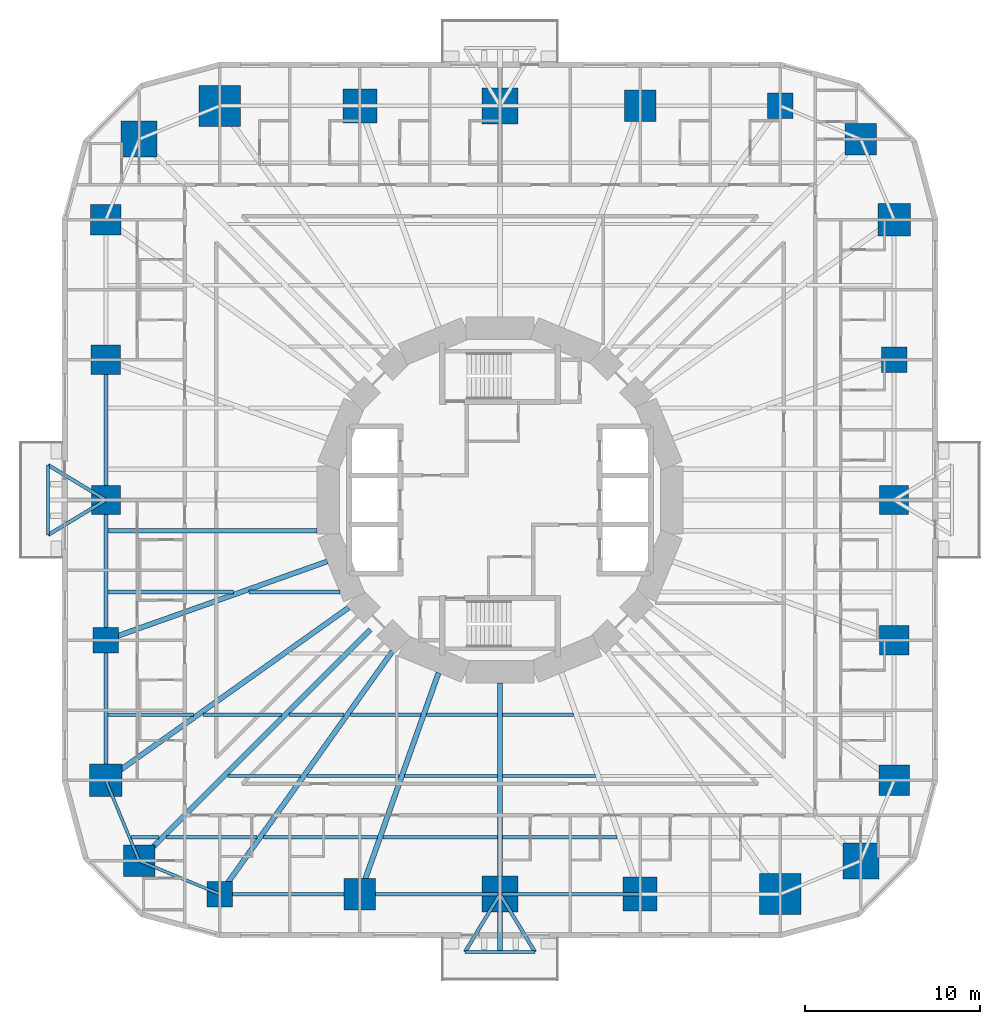
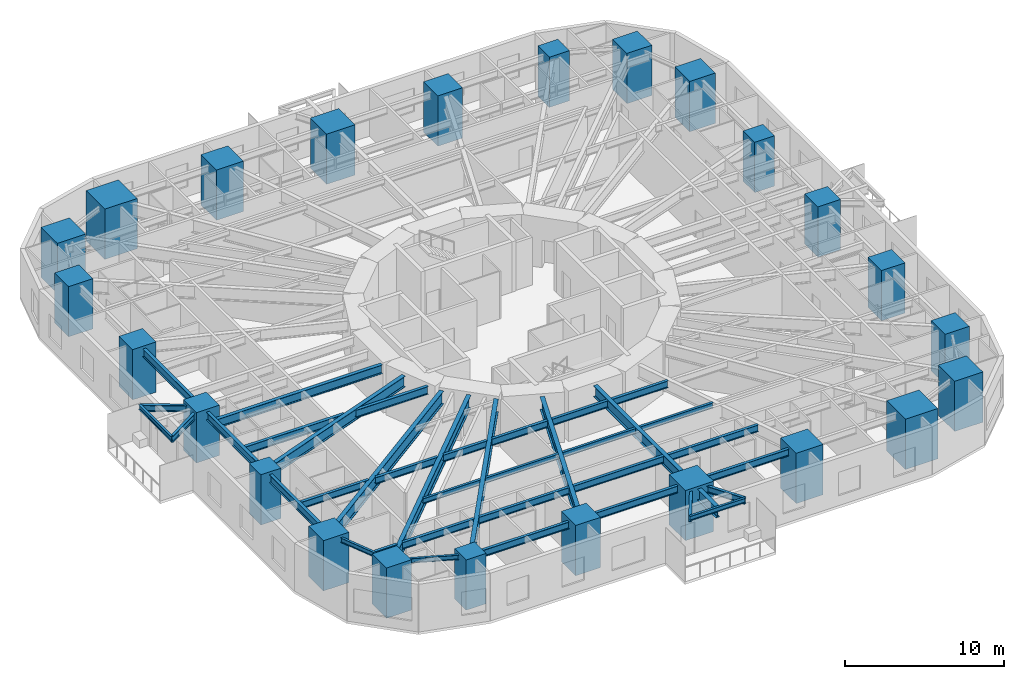
# One storey, part 1 of 14: 38 beams, 24 columns.
"""IFC4 building model written with IfcOpenShell, lengths in metres."""

from ifc_helpers import new_model, si_unit, direction, frame, origin, origin_2d, place, context, subcontext, project, spatial, rectangle, i_section, extrude, material, material_profile, profile_set, type_object, element, save


model = new_model("IFC4")

# Units and contexts
model_context = context("Model", 3, precision=1e-05, world=origin(), true_north=direction((0.0, 1.0)))
body_context = subcontext(model_context, "Body", "Model", "MODEL_VIEW")
ifc_project = project(units=[si_unit("LENGTHUNIT", "METRE"), si_unit("AREAUNIT", "SQUARE_METRE"), si_unit("VOLUMEUNIT", "CUBIC_METRE"), si_unit("PLANEANGLEUNIT", "RADIAN"), si_unit("MASSUNIT", "GRAM", prefix="KILO")], contexts=[model_context])

# Site, building, storey
site_placement = place(None, origin())
site = spatial("IfcSite", under=ifc_project, at=site_placement, CompositionType="ELEMENT")
building_placement = place(site_placement, origin())
building = spatial("IfcBuilding", under=site, at=building_placement, Name="Nakasero Lantern House", CompositionType="ELEMENT")
storey_placement = place(building_placement, frame((0.0, 0.0, 42.949951171875)))
storey = spatial("IfcBuildingStorey", under=building, at=storey_placement, Name="L10", CompositionType="ELEMENT", Elevation=42.949951171875)

# Columns
ifc_material_1 = material(Name="Concrete C50/60", Category="concrete")
ifc_material_profile_1 = material_profile(ifc_material_1, rectangle(XDim=1.800048828125, YDim=1.800048828125, at=origin_2d()), Name="RC 1800x1800")
ifc_profile_set_1 = profile_set([ifc_material_profile_1], Name="Concrete C50/60")
column_type_1 = type_object("IfcColumnType", Name="Mega column RC 1800x1800 C50/60", PredefinedType="COLUMN", material=ifc_profile_set_1)
for number, where, z_axis, x_axis, name in (
    (1, (20.59619140625, 20.59619140625, 0.0), (0.0, 0.0, 1.0), (1.0, 0.0, 0.0), "Column B1-C06 L10"),
    (2, (-20.59619140625, -20.59619140625, 0.0), (0.0, 0.0, 1.0), (1.0, 0.0, 0.0), "Column B1-C18 L10"),
):
    element("IfcColumn", number, at=place(storey_placement, frame(where, z_axis=z_axis, x_axis=x_axis)), inside=storey, type_object=column_type_1, Name=name, PredefinedType="COLUMN", context=body_context, shape_type="SweptSolid", body=[
        extrude(rectangle(XDim=1.800048828125, YDim=1.800048828125, at=origin_2d()), origin(), (0.0, 0.0, 1.0), 3.85009765625),
    ])
ifc_material_2 = material(Name="Concrete C50/60", Category="concrete")
ifc_material_profile_2 = material_profile(ifc_material_2, rectangle(XDim=2.050048828125, YDim=2.050048828125, at=origin_2d()), Name="RC 2050x2050")
ifc_profile_set_2 = profile_set([ifc_material_profile_2], Name="Concrete C50/60")
column_type_2 = type_object("IfcColumnType", Name="Mega column RC 2050x2050 C50/60", PredefinedType="COLUMN", material=ifc_profile_set_2)
for number, where, z_axis, x_axis, name in (
    (3, (-20.59619140625, 20.59619140625, 0.0), (0.0, 0.0, 1.0), (1.0, 0.0, 0.0), "Column B1-C12 L10"),
    (4, (20.59619140625, -20.59619140625, 0.0), (0.0, 0.0, 1.0), (1.0, 0.0, 0.0), "Column B1-C24 L10"),
):
    element("IfcColumn", number, at=place(storey_placement, frame(where, z_axis=z_axis, x_axis=x_axis)), inside=storey, type_object=column_type_2, Name=name, PredefinedType="COLUMN", context=body_context, shape_type="SweptSolid", body=[
        extrude(rectangle(XDim=2.050048828125, YDim=2.050048828125, at=origin_2d()), origin(), (0.0, 0.0, 1.0), 3.85009765625),
    ])
ifc_material_3 = material(Name="Concrete C50/60", Category="concrete")
ifc_material_profile_3 = material_profile(ifc_material_3, rectangle(XDim=1.449951171875, YDim=1.449951171875, at=origin_2d()), Name="RC 1450x1450")
ifc_profile_set_3 = profile_set([ifc_material_profile_3], Name="Concrete C50/60")
column_type_3 = type_object("IfcColumnType", Name="Ring column RC 1450x1450 C50/60", PredefinedType="COLUMN", material=ifc_profile_set_3)
for number, where, z_axis, x_axis, name in (
    (5, (22.5, 8.0, 0.0), (0.0, 0.0, 1.0), (1.0, 0.0, 0.0), "Column B1-C04 L10"),
    (6, (16.0, 22.5, 0.0), (0.0, 0.0, 1.0), (1.0, 0.0, 0.0), "Column B1-C07 L10"),
    (7, (-22.5, -8.0, 0.0), (0.0, 0.0, 1.0), (1.0, 0.0, 0.0), "Column B1-C16 L10"),
    (8, (-16.0, -22.5, 0.0), (0.0, 0.0, 1.0), (1.0, 0.0, 0.0), "Column B1-C19 L10"),
):
    element("IfcColumn", number, at=place(storey_placement, frame(where, z_axis=z_axis, x_axis=x_axis)), inside=storey, type_object=column_type_3, Name=name, PredefinedType="COLUMN", context=body_context, shape_type="SweptSolid", body=[
        extrude(rectangle(XDim=1.449951171875, YDim=1.449951171875, at=origin_2d()), origin(), (0.0, 0.0, 1.0), 3.85009765625),
    ])
ifc_material_4 = material(Name="Concrete C50/60", Category="concrete")
ifc_material_profile_4 = material_profile(ifc_material_4, rectangle(XDim=1.64990234375, YDim=1.64990234375, at=origin_2d()), Name="RC 1650x1650")
ifc_profile_set_4 = profile_set([ifc_material_profile_4], Name="Concrete C50/60")
column_type_4 = type_object("IfcColumnType", Name="Ring column RC 1650x1650 C50/60", PredefinedType="COLUMN", material=ifc_profile_set_4)
for number, where, z_axis, x_axis, name in (
    (9, (22.5, 0.0, 0.0), (0.0, 0.0, 1.0), (1.0, 0.0, 0.0), "Column B1-C03 L10"),
    (10, (-22.5, 0.0, 0.0), (0.0, 0.0, 1.0), (1.0, 0.0, 0.0), "Column B1-C15 L10"),
):
    element("IfcColumn", number, at=place(storey_placement, frame(where, z_axis=z_axis, x_axis=x_axis)), inside=storey, type_object=column_type_4, Name=name, PredefinedType="COLUMN", context=body_context, shape_type="SweptSolid", body=[
        extrude(rectangle(XDim=1.64990234375, YDim=1.64990234375, at=origin_2d()), origin(), (0.0, 0.0, 1.0), 3.85009765625),
    ])
ifc_material_5 = material(Name="Concrete C50/60", Category="concrete")
ifc_material_profile_5 = material_profile(ifc_material_5, rectangle(XDim=1.699951171875, YDim=1.699951171875, at=origin_2d()), Name="RC 1700x1700")
ifc_profile_set_5 = profile_set([ifc_material_profile_5], Name="Concrete C50/60")
column_type_5 = type_object("IfcColumnType", Name="Ring column RC 1700x1700 C50/60", PredefinedType="COLUMN", material=ifc_profile_set_5)
for number, where, z_axis, x_axis, name in (
    (11, (22.5, -8.0, 0.0), (0.0, 0.0, 1.0), (1.0, 0.0, 0.0), "Column B1-C02 L10"),
    (12, (-22.5, 8.0, 0.0), (0.0, 0.0, 1.0), (1.0, 0.0, 0.0), "Column B1-C14 L10"),
):
    element("IfcColumn", number, at=place(storey_placement, frame(where, z_axis=z_axis, x_axis=x_axis)), inside=storey, type_object=column_type_5, Name=name, PredefinedType="COLUMN", context=body_context, shape_type="SweptSolid", body=[
        extrude(rectangle(XDim=1.699951171875, YDim=1.699951171875, at=origin_2d()), origin(), (0.0, 0.0, 1.0), 3.85009765625),
    ])
ifc_material_6 = material(Name="Concrete C50/60", Category="concrete")
ifc_material_profile_6 = material_profile(ifc_material_6, rectangle(XDim=1.75, YDim=1.75, at=origin_2d()), Name="RC 1750x1750")
ifc_profile_set_6 = profile_set([ifc_material_profile_6], Name="Concrete C50/60")
column_type_6 = type_object("IfcColumnType", Name="Ring column RC 1750x1750 C50/60", PredefinedType="COLUMN", material=ifc_profile_set_6)
for number, where, z_axis, x_axis, name in (
    (13, (22.5, -16.0, 0.0), (0.0, 0.0, 1.0), (1.0, 0.0, 0.0), "Column B1-C01 L10"),
    (14, (-22.5, 16.0, 0.0), (0.0, 0.0, 1.0), (1.0, 0.0, 0.0), "Column B1-C13 L10"),
):
    element("IfcColumn", number, at=place(storey_placement, frame(where, z_axis=z_axis, x_axis=x_axis)), inside=storey, type_object=column_type_6, Name=name, PredefinedType="COLUMN", context=body_context, shape_type="SweptSolid", body=[
        extrude(rectangle(XDim=1.75, YDim=1.75, at=origin_2d()), origin(), (0.0, 0.0, 1.0), 3.85009765625),
    ])
ifc_material_7 = material(Name="Concrete C50/60", Category="concrete")
ifc_material_profile_7 = material_profile(ifc_material_7, rectangle(XDim=1.800048828125, YDim=1.800048828125, at=origin_2d()), Name="RC 1800x1800")
ifc_profile_set_7 = profile_set([ifc_material_profile_7], Name="Concrete C50/60")
column_type_7 = type_object("IfcColumnType", Name="Ring column RC 1800x1800 C50/60", PredefinedType="COLUMN", material=ifc_profile_set_7)
for number, where, z_axis, x_axis, name in (
    (15, (8.0, 22.5, 0.0), (0.0, 0.0, 1.0), (1.0, 0.0, 0.0), "Column B1-C08 L10"),
    (16, (-8.0, -22.5, 0.0), (0.0, 0.0, 1.0), (1.0, 0.0, 0.0), "Column B1-C20 L10"),
):
    element("IfcColumn", number, at=place(storey_placement, frame(where, z_axis=z_axis, x_axis=x_axis)), inside=storey, type_object=column_type_7, Name=name, PredefinedType="COLUMN", context=body_context, shape_type="SweptSolid", body=[
        extrude(rectangle(XDim=1.800048828125, YDim=1.800048828125, at=origin_2d()), origin(), (0.0, 0.0, 1.0), 3.85009765625),
    ])
ifc_material_8 = material(Name="Concrete C50/60", Category="concrete")
ifc_material_profile_8 = material_profile(ifc_material_8, rectangle(XDim=1.85009765625, YDim=1.85009765625, at=origin_2d()), Name="RC 1850x1850")
ifc_profile_set_8 = profile_set([ifc_material_profile_8], Name="Concrete C50/60")
column_type_8 = type_object("IfcColumnType", Name="Ring column RC 1850x1850 C50/60", PredefinedType="COLUMN", material=ifc_profile_set_8)
for number, where, z_axis, x_axis, name in (
    (17, (22.5, 16.0, 0.0), (0.0, 0.0, 1.0), (1.0, 0.0, 0.0), "Column B1-C05 L10"),
    (18, (-22.5, -16.0, 0.0), (0.0, 0.0, 1.0), (1.0, 0.0, 0.0), "Column B1-C17 L10"),
):
    element("IfcColumn", number, at=place(storey_placement, frame(where, z_axis=z_axis, x_axis=x_axis)), inside=storey, type_object=column_type_8, Name=name, PredefinedType="COLUMN", context=body_context, shape_type="SweptSolid", body=[
        extrude(rectangle(XDim=1.85009765625, YDim=1.85009765625, at=origin_2d()), origin(), (0.0, 0.0, 1.0), 3.85009765625),
    ])
ifc_material_9 = material(Name="Concrete C50/60", Category="concrete")
ifc_material_profile_9 = material_profile(ifc_material_9, rectangle(XDim=1.949951171875, YDim=1.949951171875, at=origin_2d()), Name="RC 1950x1950")
ifc_profile_set_9 = profile_set([ifc_material_profile_9], Name="Concrete C50/60")
column_type_9 = type_object("IfcColumnType", Name="Ring column RC 1950x1950 C50/60", PredefinedType="COLUMN", material=ifc_profile_set_9)
for number, where, z_axis, x_axis, name in (
    (19, (-8.0, 22.5, 0.0), (0.0, 0.0, 1.0), (1.0, 0.0, 0.0), "Column B1-C10 L10"),
    (20, (8.0, -22.5, 0.0), (0.0, 0.0, 1.0), (1.0, 0.0, 0.0), "Column B1-C22 L10"),
):
    element("IfcColumn", number, at=place(storey_placement, frame(where, z_axis=z_axis, x_axis=x_axis)), inside=storey, type_object=column_type_9, Name=name, PredefinedType="COLUMN", context=body_context, shape_type="SweptSolid", body=[
        extrude(rectangle(XDim=1.949951171875, YDim=1.949951171875, at=origin_2d()), origin(), (0.0, 0.0, 1.0), 3.85009765625),
    ])
ifc_material_10 = material(Name="Concrete C50/60", Category="concrete")
ifc_material_profile_10 = material_profile(ifc_material_10, rectangle(XDim=2.050048828125, YDim=2.050048828125, at=origin_2d()), Name="RC 2050x2050")
ifc_profile_set_10 = profile_set([ifc_material_profile_10], Name="Concrete C50/60")
column_type_10 = type_object("IfcColumnType", Name="Ring column RC 2050x2050 C50/60", PredefinedType="COLUMN", material=ifc_profile_set_10)
for number, where, z_axis, x_axis, name in (
    (21, (0.0, 22.5, 0.0), (0.0, 0.0, 1.0), (1.0, 0.0, 0.0), "Column B1-C09 L10"),
    (22, (0.0, -22.5, 0.0), (0.0, 0.0, 1.0), (1.0, 0.0, 0.0), "Column B1-C21 L10"),
):
    element("IfcColumn", number, at=place(storey_placement, frame(where, z_axis=z_axis, x_axis=x_axis)), inside=storey, type_object=column_type_10, Name=name, PredefinedType="COLUMN", context=body_context, shape_type="SweptSolid", body=[
        extrude(rectangle(XDim=2.050048828125, YDim=2.050048828125, at=origin_2d()), origin(), (0.0, 0.0, 1.0), 3.85009765625),
    ])
ifc_material_11 = material(Name="Concrete C50/60", Category="concrete")
ifc_material_profile_11 = material_profile(ifc_material_11, rectangle(XDim=2.35009765625, YDim=2.35009765625, at=origin_2d()), Name="RC 2350x2350")
ifc_profile_set_11 = profile_set([ifc_material_profile_11], Name="Concrete C50/60")
column_type_11 = type_object("IfcColumnType", Name="Ring column RC 2350x2350 C50/60", PredefinedType="COLUMN", material=ifc_profile_set_11)
for number, where, z_axis, x_axis, name in (
    (23, (-16.0, 22.5, 0.0), (0.0, 0.0, 1.0), (1.0, 0.0, 0.0), "Column B1-C11 L10"),
    (24, (16.0, -22.5, 0.0), (0.0, 0.0, 1.0), (1.0, 0.0, 0.0), "Column B1-C23 L10"),
):
    element("IfcColumn", number, at=place(storey_placement, frame(where, z_axis=z_axis, x_axis=x_axis)), inside=storey, type_object=column_type_11, Name=name, PredefinedType="COLUMN", context=body_context, shape_type="SweptSolid", body=[
        extrude(rectangle(XDim=2.35009765625, YDim=2.35009765625, at=origin_2d()), origin(), (0.0, 0.0, 1.0), 3.85009765625),
    ])

# Beams
ifc_material_12 = material(Name="Steel S355", Category="steel")
ifc_material_profile_12 = material_profile(ifc_material_12, i_section(OverallWidth=0.199462890625, OverallDepth=0.491943359375, WebThickness=0.01806640625, FlangeThickness=0.031982421875, FilletRadius=0.01025390625, at=origin_2d()), Name="UB 457x191x161")
ifc_profile_set_12 = profile_set([ifc_material_profile_12], Name="Steel S355")
beam_type_1 = type_object("IfcBeamType", Name="Balcony splay beam UB 457x191x161", PredefinedType="BEAM", material=ifc_profile_set_12)
for number, where, z_axis, x_axis, name in (
    (25, (-22.5, 0.0, 3.404052734375), (-0.855201230787, -0.518296107317, 0.0), (0.518296107317, -0.855201230787, 0.0), "Balcony splay beam L11 B1-C15A"),
    (26, (-22.5, 0.0, 3.404052734375), (-0.855201230787, 0.518296107317, 0.0), (-0.518296107317, -0.855201230787, 0.0), "Balcony splay beam L11 B1-C15B"),
    (27, (0.0, -22.5, 3.404052734375), (0.518296107317, -0.855201230787, 0.0), (0.855201230787, 0.518296107317, 0.0), "Balcony splay beam L11 B1-C21A"),
    (28, (0.0, -22.5, 3.404052734375), (-0.518296107317, -0.855201230787, 0.0), (0.855201230787, -0.518296107317, 0.0), "Balcony splay beam L11 B1-C21B"),
):
    element("IfcBeam", number, at=place(storey_placement, frame(where, z_axis=z_axis, x_axis=x_axis)), inside=storey, type_object=beam_type_1, Name=name, PredefinedType="BEAM", context=body_context, shape_type="SweptSolid", body=[
        extrude(i_section(OverallWidth=0.199462890625, OverallDepth=0.491943359375, WebThickness=0.01806640625, FlangeThickness=0.031982421875, FilletRadius=0.01025390625, at=origin_2d()), origin(), (0.0, 0.0, 1.0), 3.85888671875),
    ])
ifc_material_13 = material(Name="Steel S355", Category="steel")
ifc_material_profile_13 = material_profile(ifc_material_13, i_section(OverallWidth=0.17138671875, OverallDepth=0.35498046875, WebThickness=0.00732421875, FlangeThickness=0.011474609375, FilletRadius=0.01025390625, at=origin_2d()), Name="UB 356x171x51")
ifc_profile_set_13 = profile_set([ifc_material_profile_13], Name="Steel S355")
beam_type_2 = type_object("IfcBeamType", Name="Balcony tie beam UB 356x171x51", PredefinedType="BEAM", material=ifc_profile_set_13)
for number, where, z_axis, x_axis, name in (
    (29, (-25.800048828125, -2.0, 3.47265625), (0.0, 1.0, 0.0), (-1.0, 0.0, 0.0), "Balcony tie beam L11 B1-C15"),
    (30, (2.0, -25.800048828125, 3.47265625), (-1.0, 0.0, 0.0), (0.0, -1.0, 0.0), "Balcony tie beam L11 B1-C21"),
):
    element("IfcBeam", number, at=place(storey_placement, frame(where, z_axis=z_axis, x_axis=x_axis)), inside=storey, type_object=beam_type_2, Name=name, PredefinedType="BEAM", context=body_context, shape_type="SweptSolid", body=[
        extrude(i_section(OverallWidth=0.17138671875, OverallDepth=0.35498046875, WebThickness=0.00732421875, FlangeThickness=0.011474609375, FilletRadius=0.01025390625, at=origin_2d()), origin(), (0.0, 0.0, 1.0), 4.0),
    ])
ifc_material_14 = material(Name="Steel S355", Category="steel")
ifc_material_profile_14 = material_profile(ifc_material_14, i_section(OverallWidth=0.177978515625, OverallDepth=0.406494140625, WebThickness=0.0078125, FlangeThickness=0.0126953125, FilletRadius=0.01025390625, at=origin_2d()), Name="UB 406x178x60")
ifc_profile_set_14 = profile_set([ifc_material_profile_14], Name="Steel S355")
beam_type_3 = type_object("IfcBeamType", Name="Infill beam UB 406x178x60", PredefinedType="JOIST", material=ifc_profile_set_14)
beam_1_placement = place(storey_placement, frame((-15.537841796875, -15.75, 3.44677734375), z_axis=(1.0, 0.0, 0.0), x_axis=(0.0, 1.0, 0.0)))
element("IfcBeam", 31, at=beam_1_placement, inside=storey, type_object=beam_type_3, Name="Infill beam L11 03.1", PredefinedType="JOIST", context=body_context, shape_type="SweptSolid", body=[
    extrude(i_section(OverallWidth=0.177978515625, OverallDepth=0.406494140625, WebThickness=0.0078125, FlangeThickness=0.0126953125, FilletRadius=0.01025390625, at=origin_2d()), origin(), (0.0, 0.0, 1.0), 4.15380859375),
])
beam_2_placement = place(storey_placement, frame((-11.015869140625, -15.75, 3.44677734375), z_axis=(1.0, 0.0, 0.0), x_axis=(0.0, 1.0, 0.0)))
element("IfcBeam", 32, at=beam_2_placement, inside=storey, type_object=beam_type_3, Name="Infill beam L11 03.2", PredefinedType="JOIST", context=body_context, shape_type="SweptSolid", body=[
    extrude(i_section(OverallWidth=0.177978515625, OverallDepth=0.406494140625, WebThickness=0.0078125, FlangeThickness=0.0126953125, FilletRadius=0.01025390625, at=origin_2d()), origin(), (0.0, 0.0, 1.0), 5.256591796875),
])
for number, where, z_axis, x_axis, name in (
    (33, (-5.44091796875, -15.75, 3.44677734375), (1.0, 0.0, 0.0), (0.0, 1.0, 0.0), "Infill beam L11 03.3"),
    (34, (0.146240234375, -15.75, 3.44677734375), (1.0, 0.0, 0.0), (0.0, 1.0, 0.0), "Infill beam L11 03.4"),
):
    element("IfcBeam", number, at=place(storey_placement, frame(where, z_axis=z_axis, x_axis=x_axis)), inside=storey, type_object=beam_type_3, Name=name, PredefinedType="JOIST", context=body_context, shape_type="SweptSolid", body=[
        extrude(i_section(OverallWidth=0.177978515625, OverallDepth=0.406494140625, WebThickness=0.0078125, FlangeThickness=0.0126953125, FilletRadius=0.01025390625, at=origin_2d()), origin(), (0.0, 0.0, 1.0), 5.294677734375),
    ])
ifc_material_15 = material(Name="Steel S355", Category="steel")
ifc_material_profile_15 = material_profile(ifc_material_15, i_section(OverallWidth=0.208740234375, OverallDepth=0.5283203125, WebThickness=0.009521484375, FlangeThickness=0.01318359375, FilletRadius=0.0126953125, at=origin_2d()), Name="UB 533x210x82")
ifc_profile_set_15 = profile_set([ifc_material_profile_15], Name="Steel S355")
beam_type_4 = type_object("IfcBeamType", Name="Infill beam UB 533x210x82", PredefinedType="JOIST", material=ifc_profile_set_15)
beam_3_placement = place(storey_placement, frame((-21.06103515625, -19.25, 3.385986328125), z_axis=(1.0, 0.0, 0.0), x_axis=(0.0, 1.0, 0.0)))
element("IfcBeam", 35, at=beam_3_placement, inside=storey, type_object=beam_type_4, Name="Infill beam L11 02.1", PredefinedType="JOIST", context=body_context, shape_type="SweptSolid", body=[
    extrude(i_section(OverallWidth=0.208740234375, OverallDepth=0.5283203125, WebThickness=0.009521484375, FlangeThickness=0.01318359375, FilletRadius=0.0126953125, at=origin_2d()), origin(), (0.0, 0.0, 1.0), 1.598876953125),
])
beam_4_placement = place(storey_placement, frame((-19.037841796875, -19.25, 3.385986328125), z_axis=(1.0, 0.0, 0.0), x_axis=(0.0, 1.0, 0.0)))
element("IfcBeam", 36, at=beam_4_placement, inside=storey, type_object=beam_type_4, Name="Infill beam L11 02.2", PredefinedType="JOIST", context=body_context, shape_type="SweptSolid", body=[
    extrude(i_section(OverallWidth=0.208740234375, OverallDepth=0.5283203125, WebThickness=0.009521484375, FlangeThickness=0.01318359375, FilletRadius=0.0126953125, at=origin_2d()), origin(), (0.0, 0.0, 1.0), 5.164794921875),
])
beam_5_placement = place(storey_placement, frame((-13.5048828125, -19.25, 3.385986328125), z_axis=(1.0, 0.0, 0.0), x_axis=(0.0, 1.0, 0.0)))
element("IfcBeam", 37, at=beam_5_placement, inside=storey, type_object=beam_type_4, Name="Infill beam L11 02.3", PredefinedType="JOIST", context=body_context, shape_type="SweptSolid", body=[
    extrude(i_section(OverallWidth=0.208740234375, OverallDepth=0.5283203125, WebThickness=0.009521484375, FlangeThickness=0.01318359375, FilletRadius=0.0126953125, at=origin_2d()), origin(), (0.0, 0.0, 1.0), 6.501220703125),
])
for number, where, z_axis, x_axis, name in (
    (38, (-6.685302734375, -19.25, 3.385986328125), (1.0, 0.0, 0.0), (0.0, 1.0, 0.0), "Infill beam L11 02.4"),
    (39, (0.146240234375, -19.25, 3.385986328125), (1.0, 0.0, 0.0), (0.0, 1.0, 0.0), "Infill beam L11 02.5"),
):
    element("IfcBeam", number, at=place(storey_placement, frame(where, z_axis=z_axis, x_axis=x_axis)), inside=storey, type_object=beam_type_4, Name=name, PredefinedType="JOIST", context=body_context, shape_type="SweptSolid", body=[
        extrude(i_section(OverallWidth=0.208740234375, OverallDepth=0.5283203125, WebThickness=0.009521484375, FlangeThickness=0.01318359375, FilletRadius=0.0126953125, at=origin_2d()), origin(), (0.0, 0.0, 1.0), 6.5390625),
    ])
beam_6_placement = place(storey_placement, frame((-22.385498046875, -12.25, 3.385986328125), z_axis=(1.0, 0.0, 0.0), x_axis=(0.0, 1.0, 0.0)))
element("IfcBeam", 40, at=beam_6_placement, inside=storey, type_object=beam_type_4, Name="Infill beam L11 04.1", PredefinedType="JOIST", context=body_context, shape_type="SweptSolid", body=[
    extrude(i_section(OverallWidth=0.208740234375, OverallDepth=0.5283203125, WebThickness=0.009521484375, FlangeThickness=0.01318359375, FilletRadius=0.0126953125, at=origin_2d()), origin(), (0.0, 0.0, 1.0), 4.900146484375),
])
beam_7_placement = place(storey_placement, frame((-16.9677734375, -12.25, 3.385986328125), z_axis=(1.0, 0.0, 0.0), x_axis=(0.0, 1.0, 0.0)))
element("IfcBeam", 41, at=beam_7_placement, inside=storey, type_object=beam_type_4, Name="Infill beam L11 04.2", PredefinedType="JOIST", context=body_context, shape_type="SweptSolid", body=[
    extrude(i_section(OverallWidth=0.208740234375, OverallDepth=0.5283203125, WebThickness=0.009521484375, FlangeThickness=0.01318359375, FilletRadius=0.0126953125, at=origin_2d()), origin(), (0.0, 0.0, 1.0), 4.505615234375),
])
beam_8_placement = place(storey_placement, frame((-12.037841796875, -12.25, 3.385986328125), z_axis=(1.0, 0.0, 0.0), x_axis=(0.0, 1.0, 0.0)))
element("IfcBeam", 42, at=beam_8_placement, inside=storey, type_object=beam_type_4, Name="Infill beam L11 04.3", PredefinedType="JOIST", context=body_context, shape_type="SweptSolid", body=[
    extrude(i_section(OverallWidth=0.208740234375, OverallDepth=0.5283203125, WebThickness=0.009521484375, FlangeThickness=0.01318359375, FilletRadius=0.0126953125, at=origin_2d()), origin(), (0.0, 0.0, 1.0), 3.142578125),
])
beam_9_placement = place(storey_placement, frame((-8.527099609375, -12.25, 3.385986328125), z_axis=(1.0, 0.0, 0.0), x_axis=(0.0, 1.0, 0.0)))
element("IfcBeam", 43, at=beam_9_placement, inside=storey, type_object=beam_type_4, Name="Infill beam L11 04.4", PredefinedType="JOIST", context=body_context, shape_type="SweptSolid", body=[
    extrude(i_section(OverallWidth=0.208740234375, OverallDepth=0.5283203125, WebThickness=0.009521484375, FlangeThickness=0.01318359375, FilletRadius=0.0126953125, at=origin_2d()), origin(), (0.0, 0.0, 1.0), 4.012451171875),
])
for number, where, z_axis, x_axis, name in (
    (44, (-4.1962890625, -12.25, 3.385986328125), (1.0, 0.0, 0.0), (0.0, 1.0, 0.0), "Infill beam L11 04.5"),
    (45, (0.146240234375, -12.25, 3.385986328125), (1.0, 0.0, 0.0), (0.0, 1.0, 0.0), "Infill beam L11 04.6"),
):
    element("IfcBeam", number, at=place(storey_placement, frame(where, z_axis=z_axis, x_axis=x_axis)), inside=storey, type_object=beam_type_4, Name=name, PredefinedType="JOIST", context=body_context, shape_type="SweptSolid", body=[
        extrude(i_section(OverallWidth=0.208740234375, OverallDepth=0.5283203125, WebThickness=0.009521484375, FlangeThickness=0.01318359375, FilletRadius=0.0126953125, at=origin_2d()), origin(), (0.0, 0.0, 1.0), 4.050048828125),
    ])
ifc_material_16 = material(Name="Steel S355", Category="steel")
ifc_material_profile_16 = material_profile(ifc_material_16, i_section(OverallWidth=0.2275390625, OverallDepth=0.6025390625, WebThickness=0.010498046875, FlangeThickness=0.014892578125, FilletRadius=0.0126953125, at=origin_2d()), Name="UB 610x229x101")
ifc_profile_set_16 = profile_set([ifc_material_profile_16], Name="Steel S355")
beam_type_5 = type_object("IfcBeamType", Name="Infill beam UB 610x229x101", PredefinedType="JOIST", material=ifc_profile_set_16)
beam_10_placement = place(storey_placement, frame((-22.385498046875, -5.25, 3.3486328125), z_axis=(1.0, 0.0, 0.0), x_axis=(0.0, 1.0, 0.0)))
element("IfcBeam", 46, at=beam_10_placement, inside=storey, type_object=beam_type_5, Name="Infill beam L11 06.1", PredefinedType="JOIST", context=body_context, shape_type="SweptSolid", body=[
    extrude(i_section(OverallWidth=0.2275390625, OverallDepth=0.6025390625, WebThickness=0.010498046875, FlangeThickness=0.014892578125, FilletRadius=0.0126953125, at=origin_2d()), origin(), (0.0, 0.0, 1.0), 7.183349609375),
])
beam_11_placement = place(storey_placement, frame((-14.3291015625, -5.25, 3.3486328125), z_axis=(1.0, 0.0, 0.0), x_axis=(0.0, 1.0, 0.0)))
element("IfcBeam", 47, at=beam_11_placement, inside=storey, type_object=beam_type_5, Name="Infill beam L11 06.2", PredefinedType="JOIST", context=body_context, shape_type="SweptSolid", body=[
    extrude(i_section(OverallWidth=0.2275390625, OverallDepth=0.6025390625, WebThickness=0.010498046875, FlangeThickness=0.014892578125, FilletRadius=0.0126953125, at=origin_2d()), origin(), (0.0, 0.0, 1.0), 5.184326171875),
])
ifc_material_17 = material(Name="Steel S355", Category="steel")
ifc_material_profile_17 = material_profile(ifc_material_17, i_section(OverallWidth=0.253662109375, OverallDepth=0.68359375, WebThickness=0.012451171875, FlangeThickness=0.01904296875, FilletRadius=0.01513671875, at=origin_2d()), Name="UB 686x254x140")
ifc_profile_set_17 = profile_set([ifc_material_profile_17], Name="Steel S355")
beam_type_6 = type_object("IfcBeamType", Name="Infill beam UB 686x254x140", PredefinedType="JOIST", material=ifc_profile_set_17)
beam_12_placement = place(storey_placement, frame((-22.385498046875, -1.75, 3.308349609375), z_axis=(1.0, 0.0, 0.0), x_axis=(0.0, 1.0, 0.0)))
element("IfcBeam", 48, at=beam_12_placement, inside=storey, type_object=beam_type_6, Name="Infill beam L11 07.1", PredefinedType="JOIST", context=body_context, shape_type="SweptSolid", body=[
    extrude(i_section(OverallWidth=0.253662109375, OverallDepth=0.68359375, WebThickness=0.012451171875, FlangeThickness=0.01904296875, FilletRadius=0.01513671875, at=origin_2d()), origin(), (0.0, 0.0, 1.0), 11.927734375),
])
ifc_material_18 = material(Name="Steel S355", Category="steel")
ifc_material_profile_18 = material_profile(ifc_material_18, i_section(OverallWidth=0.300048828125, OverallDepth=0.97021484375, WebThickness=0.01611328125, FlangeThickness=0.02099609375, FilletRadius=0.030029296875, at=origin_2d()), Name="UB 1016x305x222")
ifc_profile_set_18 = profile_set([ifc_material_profile_18], Name="Steel S355")
beam_type_7 = type_object("IfcBeamType", Name="Primary beam UB 1016x305x222, span 12 to 15 m", PredefinedType="BEAM", material=ifc_profile_set_18)
beam_13_placement = place(storey_placement, frame((-8.0, -22.5, 3.164794921875), z_axis=(0.335010745293, 0.942214307118, 0.0), x_axis=(-0.942214307118, 0.335010745293, 0.0)))
element("IfcBeam", 49, at=beam_13_placement, inside=storey, type_object=beam_type_7, Name="Primary beam L11 B1-C20", PredefinedType="BEAM", context=body_context, shape_type="SweptSolid", body=[
    extrude(i_section(OverallWidth=0.300048828125, OverallDepth=0.97021484375, WebThickness=0.01611328125, FlangeThickness=0.02099609375, FilletRadius=0.030029296875, at=origin_2d()), origin(), (0.0, 0.0, 1.0), 13.408447265625),
])
ifc_material_19 = material(Name="Steel S355", Category="steel")
ifc_material_profile_19 = material_profile(ifc_material_19, i_section(OverallWidth=0.300048828125, OverallDepth=0.989990234375, WebThickness=0.0166015625, FlangeThickness=0.031005859375, FilletRadius=0.030029296875, at=origin_2d()), Name="UB 1016x305x272")
ifc_profile_set_19 = profile_set([ifc_material_profile_19], Name="Steel S355")
beam_type_8 = type_object("IfcBeamType", Name="Primary beam UB 1016x305x272, span over 15 m", PredefinedType="BEAM", material=ifc_profile_set_19)
beam_14_placement = place(storey_placement, frame((-22.5, -16.0, 3.155029296875), z_axis=(0.814952159915, 0.579528236629, 0.0), x_axis=(-0.579528236629, 0.814952159915, 0.0)))
element("IfcBeam", 50, at=beam_14_placement, inside=storey, type_object=beam_type_8, Name="Primary beam L11 B1-C17", PredefinedType="BEAM", context=body_context, shape_type="SweptSolid", body=[
    extrude(i_section(OverallWidth=0.300048828125, OverallDepth=0.989990234375, WebThickness=0.0166015625, FlangeThickness=0.031005859375, FilletRadius=0.030029296875, at=origin_2d()), origin(), (0.0, 0.0, 1.0), 17.003173828125),
])
beam_15_placement = place(storey_placement, frame((-20.59619140625, -20.59619140625, 3.155029296875), z_axis=(0.707106781187, 0.707106781187, 0.0), x_axis=(-0.707106781187, 0.707106781187, 0.0)))
element("IfcBeam", 51, at=beam_15_placement, inside=storey, type_object=beam_type_8, Name="Primary beam L11 B1-C18", PredefinedType="BEAM", context=body_context, shape_type="SweptSolid", body=[
    extrude(i_section(OverallWidth=0.300048828125, OverallDepth=0.989990234375, WebThickness=0.0166015625, FlangeThickness=0.031005859375, FilletRadius=0.030029296875, at=origin_2d()), origin(), (0.0, 0.0, 1.0), 18.669677734375),
])
ifc_material_20 = material(Name="Steel S355", Category="steel")
ifc_material_profile_20 = material_profile(ifc_material_20, i_section(OverallWidth=0.300048828125, OverallDepth=1.0, WebThickness=0.01904296875, FlangeThickness=0.035888671875, FilletRadius=0.030029296875, at=origin_2d()), Name="UB 1016x305x314")
ifc_profile_set_20 = profile_set([ifc_material_profile_20], Name="Steel S355")
beam_type_9 = type_object("IfcBeamType", Name="Primary beam UB 1016x305x314, span over 15 m", PredefinedType="BEAM", material=ifc_profile_set_20)
beam_16_placement = place(storey_placement, frame((-16.0, -22.5, 3.150146484375), z_axis=(0.579528236629, 0.814952159915, 0.0), x_axis=(-0.814952159915, 0.579528236629, 0.0)))
element("IfcBeam", 52, at=beam_16_placement, inside=storey, type_object=beam_type_9, Name="Primary beam L11 B1-C19", PredefinedType="BEAM", context=body_context, shape_type="SweptSolid", body=[
    extrude(i_section(OverallWidth=0.300048828125, OverallDepth=1.0, WebThickness=0.01904296875, FlangeThickness=0.035888671875, FilletRadius=0.030029296875, at=origin_2d()), origin(), (0.0, 0.0, 1.0), 17.003173828125),
])
ifc_material_21 = material(Name="Steel S355", Category="steel")
ifc_material_profile_21 = material_profile(ifc_material_21, i_section(OverallWidth=0.29248046875, OverallDepth=0.8408203125, WebThickness=0.0146484375, FlangeThickness=0.02685546875, FilletRadius=0.017822265625, at=origin_2d()), Name="UB 838x292x194")
ifc_profile_set_21 = profile_set([ifc_material_profile_21], Name="Steel S355")
beam_type_10 = type_object("IfcBeamType", Name="Primary beam UB 838x292x194, span 12 to 15 m", PredefinedType="BEAM", material=ifc_profile_set_21)
beam_17_placement = place(storey_placement, frame((-22.5, -8.0, 3.229736328125), z_axis=(0.942214307118, 0.335010745293, 0.0), x_axis=(-0.335010745293, 0.942214307118, 0.0)))
element("IfcBeam", 53, at=beam_17_placement, inside=storey, type_object=beam_type_10, Name="Primary beam L11 B1-C16", PredefinedType="BEAM", context=body_context, shape_type="SweptSolid", body=[
    extrude(i_section(OverallWidth=0.29248046875, OverallDepth=0.8408203125, WebThickness=0.0146484375, FlangeThickness=0.02685546875, FilletRadius=0.017822265625, at=origin_2d()), origin(), (0.0, 0.0, 1.0), 13.408447265625),
])
beam_18_placement = place(storey_placement, frame((0.0, -25.800048828125, 3.229736328125), z_axis=(0.0, 1.0, 0.0), x_axis=(-1.0, 0.0, 0.0)))
element("IfcBeam", 54, at=beam_18_placement, inside=storey, type_object=beam_type_10, Name="Primary beam L11 B1-C21", PredefinedType="BEAM", context=body_context, shape_type="SweptSolid", body=[
    extrude(i_section(OverallWidth=0.29248046875, OverallDepth=0.8408203125, WebThickness=0.0146484375, FlangeThickness=0.02685546875, FilletRadius=0.017822265625, at=origin_2d()), origin(), (0.0, 0.0, 1.0), 15.34228515625),
])
ifc_material_22 = material(Name="Steel S355", Category="steel")
ifc_material_profile_22 = material_profile(ifc_material_22, i_section(OverallWidth=0.17138671875, OverallDepth=0.35498046875, WebThickness=0.00732421875, FlangeThickness=0.011474609375, FilletRadius=0.01025390625, at=origin_2d()), Name="UB 356x171x51")
ifc_profile_set_22 = profile_set([ifc_material_profile_22], Name="Steel S355")
beam_type_11 = type_object("IfcBeamType", Name="Ring beam UB 356x171x51", PredefinedType="BEAM", material=ifc_profile_set_22)
for number, where, z_axis, x_axis, name in (
    (55, (-22.5, -16.0, 3.47265625), (0.382684080569, -0.923879264016, 0.0), (0.923879264016, 0.382684080569, 0.0), "Ring beam L11 B1-C17"),
    (56, (-20.59619140625, -20.59619140625, 3.47265625), (0.923879264016, -0.382684080569, 0.0), (0.382684080569, 0.923879264016, 0.0), "Ring beam L11 B1-C18"),
):
    element("IfcBeam", number, at=place(storey_placement, frame(where, z_axis=z_axis, x_axis=x_axis)), inside=storey, type_object=beam_type_11, Name=name, PredefinedType="BEAM", context=body_context, shape_type="SweptSolid", body=[
        extrude(i_section(OverallWidth=0.17138671875, OverallDepth=0.35498046875, WebThickness=0.00732421875, FlangeThickness=0.011474609375, FilletRadius=0.01025390625, at=origin_2d()), origin(), (0.0, 0.0, 1.0), 4.974853515625),
    ])
ifc_material_23 = material(Name="Steel S355", Category="steel")
ifc_material_profile_23 = material_profile(ifc_material_23, i_section(OverallWidth=0.2099609375, OverallDepth=0.53662109375, WebThickness=0.0107421875, FlangeThickness=0.017333984375, FilletRadius=0.0126953125, at=origin_2d()), Name="UB 533x210x101")
ifc_profile_set_23 = profile_set([ifc_material_profile_23], Name="Steel S355")
beam_type_12 = type_object("IfcBeamType", Name="Ring beam UB 533x210x101", PredefinedType="BEAM", material=ifc_profile_set_23)
for number, where, z_axis, x_axis, name in (
    (57, (-16.0, -22.5, 3.381591796875), (1.0, 0.0, 0.0), (0.0, 1.0, 0.0), "Ring beam L11 B1-C19"),
    (58, (-8.0, -22.5, 3.381591796875), (1.0, 0.0, 0.0), (0.0, 1.0, 0.0), "Ring beam L11 B1-C20"),
    (59, (0.0, -22.5, 3.381591796875), (1.0, 0.0, 0.0), (0.0, 1.0, 0.0), "Ring beam L11 B1-C21"),
):
    element("IfcBeam", number, at=place(storey_placement, frame(where, z_axis=z_axis, x_axis=x_axis)), inside=storey, type_object=beam_type_12, Name=name, PredefinedType="BEAM", context=body_context, shape_type="SweptSolid", body=[
        extrude(i_section(OverallWidth=0.2099609375, OverallDepth=0.53662109375, WebThickness=0.0107421875, FlangeThickness=0.017333984375, FilletRadius=0.0126953125, at=origin_2d()), origin(), (0.0, 0.0, 1.0), 8.0),
    ])
ifc_material_24 = material(Name="Steel S355", Category="steel")
ifc_material_profile_24 = material_profile(ifc_material_24, i_section(OverallWidth=0.22900390625, OverallDepth=0.6123046875, WebThickness=0.011962890625, FlangeThickness=0.01953125, FilletRadius=0.0126953125, at=origin_2d()), Name="UB 610x229x125")
ifc_profile_set_24 = profile_set([ifc_material_profile_24], Name="Steel S355")
beam_type_13 = type_object("IfcBeamType", Name="Ring beam UB 610x229x125", PredefinedType="BEAM", material=ifc_profile_set_24)
for number, where, z_axis, x_axis, name in (
    (60, (-22.5, 8.0, 3.343994140625), (0.0, -1.0, 0.0), (1.0, 0.0, 0.0), "Ring beam L11 B1-C14"),
    (61, (-22.5, 0.0, 3.343994140625), (0.0, -1.0, 0.0), (1.0, 0.0, 0.0), "Ring beam L11 B1-C15"),
    (62, (-22.5, -8.0, 3.343994140625), (0.0, -1.0, 0.0), (1.0, 0.0, 0.0), "Ring beam L11 B1-C16"),
):
    element("IfcBeam", number, at=place(storey_placement, frame(where, z_axis=z_axis, x_axis=x_axis)), inside=storey, type_object=beam_type_13, Name=name, PredefinedType="BEAM", context=body_context, shape_type="SweptSolid", body=[
        extrude(i_section(OverallWidth=0.22900390625, OverallDepth=0.6123046875, WebThickness=0.011962890625, FlangeThickness=0.01953125, FilletRadius=0.0126953125, at=origin_2d()), origin(), (0.0, 0.0, 1.0), 8.0),
    ])

save(model, "model.ifc")
